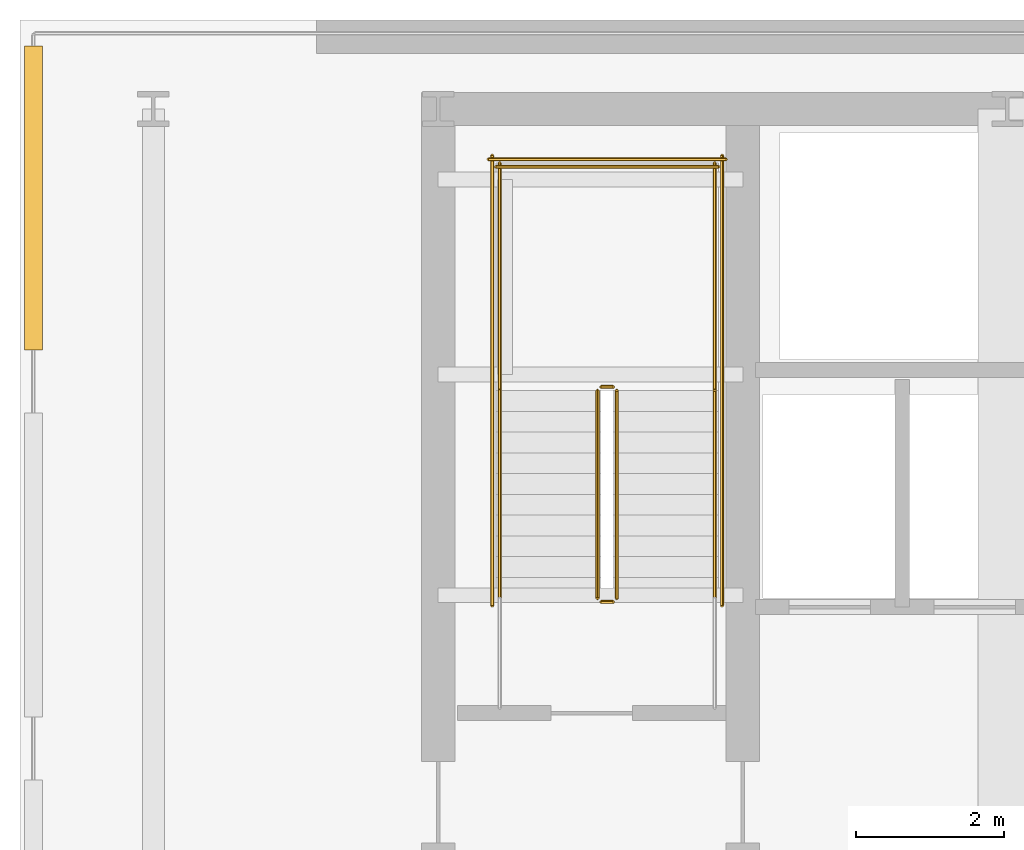
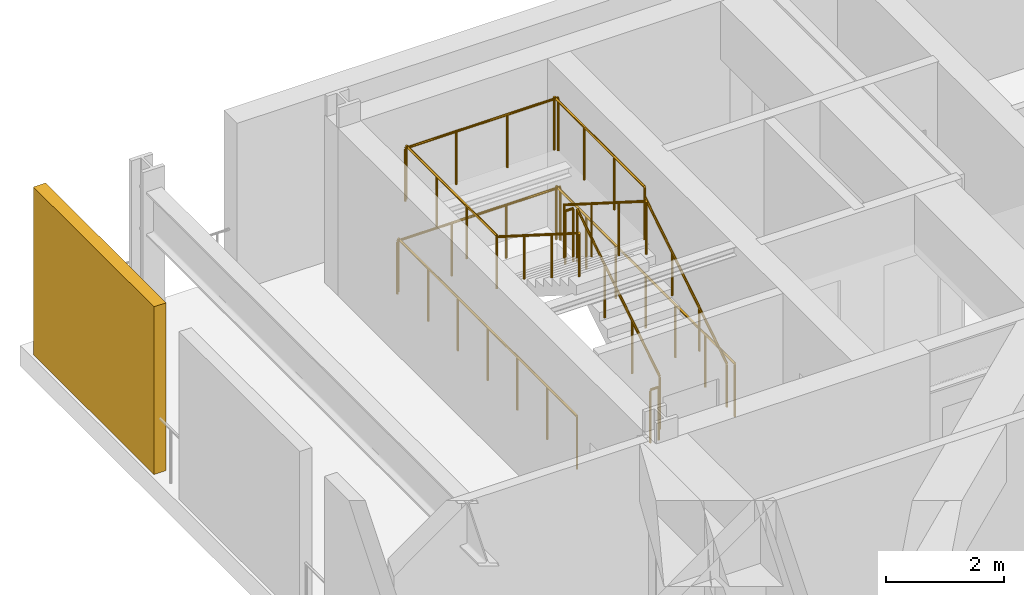
# One storey, part 5 of 7: 12 railings, 1 shading device.
"""IFC4 building model written with IfcOpenShell, lengths in metres."""

from ifc_helpers import new_model, si_unit, direction, frame, origin, origin_2d, place, context, subcontext, project, spatial, rectangle, circle, extrude, material, layer, layer_set, type_object, element, save


model = new_model("IFC4")

# Units and contexts
model_context = context("Model", 3, precision=1e-05, world=origin(), true_north=direction((0.0, 1.0)))
body_context = subcontext(model_context, "Body", "Model", "MODEL_VIEW")
ifc_project = project(units=[si_unit("LENGTHUNIT", "METRE"), si_unit("AREAUNIT", "SQUARE_METRE"), si_unit("VOLUMEUNIT", "CUBIC_METRE"), si_unit("PLANEANGLEUNIT", "RADIAN"), si_unit("MASSUNIT", "GRAM", prefix="KILO")], contexts=[model_context])

# Site, building, storey
site_placement = place(None, origin())
site = spatial("IfcSite", under=ifc_project, at=site_placement, CompositionType="ELEMENT")
building_placement = place(site_placement, origin())
building = spatial("IfcBuilding", under=site, at=building_placement, Name="Yelkora Congress Tower", CompositionType="ELEMENT")
storey_placement = place(building_placement, frame((0.0, 0.0, 145.10009765625)))
storey = spatial("IfcBuildingStorey", under=building, at=storey_placement, Name="L39", CompositionType="ELEMENT", Elevation=145.10009765625)

# Railings
ifc_material_1 = material(Name="Painted galvanised steel stair well guard with vertical infill", Category="steel")
ifc_layer_1 = layer(ifc_material_1, 0.06005859375)
ifc_layer_set_1 = layer_set([ifc_layer_1], Name="Painted galvanised steel stair well guard with vertical infill")
railing_type_1 = type_object("IfcRailingType", Name="RAIL-STAIR-GUARD-1120", PredefinedType="GUARDRAIL", material=ifc_layer_set_1)
railing_1_placement = place(storey_placement, frame((25.449951171875, 39.60009765625, 0.17724609375)))
element("IfcRailing", 1, at=railing_1_placement, inside=storey, type_object=railing_type_1, Name="ST-01 L39 Stair Well Guardrail 1", PredefinedType="GUARDRAIL", context=body_context, shape_type="SweptSolid", body=[
    extrude(circle(Radius=0.02392578125, at=origin_2d()), frame((0.0, 0.0, 1.09619140625), z_axis=(0.0, 0.844887892834, 0.53494340686), x_axis=(-1.0, 0.0, 0.0)), (0.0, 0.0, 1.0), 3.313720703125),
    extrude(circle(Radius=0.02099609375, at=origin_2d()), origin(), (0.0, 0.0, 1.0), 1.072021484375),
    extrude(circle(Radius=0.02099609375, at=origin_2d()), frame((0.0, 0.933349609375, 0.5908203125)), (0.0, 0.0, 1.0), 1.072021484375),
    extrude(circle(Radius=0.02099609375, at=origin_2d()), frame((0.0, 1.866455078125, 1.181884765625)), (0.0, 0.0, 1.0), 1.072021484375),
    extrude(circle(Radius=0.02099609375, at=origin_2d()), frame((0.0, 2.7998046875, 1.772705078125)), (0.0, 0.0, 1.0), 1.072021484375),
])
railing_2_placement = place(storey_placement, frame((25.39990234375, 42.449951171875, 1.949951171875)))
element("IfcRailing", 2, at=railing_2_placement, inside=storey, type_object=railing_type_1, Name="ST-01 L39 Stair Well Guardrail 2", PredefinedType="GUARDRAIL", context=body_context, shape_type="SweptSolid", body=[
    extrude(circle(Radius=0.02392578125, at=origin_2d()), frame((0.0, 0.0, 1.09619140625), z_axis=(-1.0, 0.0, 0.0), x_axis=(0.0, -1.0, 0.0)), (0.0, 0.0, 1.0), 0.159912109375),
    extrude(circle(Radius=0.02099609375, at=origin_2d()), origin(), (0.0, 0.0, 1.0), 1.072021484375),
    extrude(circle(Radius=0.02099609375, at=origin_2d()), frame((-0.159912109375, 0.0, 0.0)), (0.0, 0.0, 1.0), 1.072021484375),
])
for number, where, name in (
    (3, (26.77001953125, 42.39990234375, 1.949951171875), "ST-01 L39 Stair Well Guardrail 3"),
    (4, (23.8701171875, 42.39990234375, 1.949951171875), "ST-01 L39 Stair Well Guardrail 4"),
):
    element("IfcRailing", number, at=place(storey_placement, frame(where)), inside=storey, type_object=railing_type_1, Name=name, PredefinedType="GUARDRAIL", context=body_context, shape_type="SweptSolid", body=[
        extrude(circle(Radius=0.02392578125, at=origin_2d()), frame((0.0, 0.0, 1.09619140625), z_axis=(0.0, 1.0, 0.0), x_axis=(-1.0, 0.0, 0.0)), (0.0, 0.0, 1.0), 3.070068359375),
        extrude(circle(Radius=0.02099609375, at=origin_2d()), origin(), (0.0, 0.0, 1.0), 1.072021484375),
        extrude(circle(Radius=0.02099609375, at=origin_2d()), frame((0.0, 1.0234375, 0.0)), (0.0, 0.0, 1.0), 1.072021484375),
        extrude(circle(Radius=0.02099609375, at=origin_2d()), frame((0.0, 2.046630859375, 0.0)), (0.0, 0.0, 1.0), 1.072021484375),
        extrude(circle(Radius=0.02099609375, at=origin_2d()), frame((0.0, 3.070068359375, 0.0)), (0.0, 0.0, 1.0), 1.072021484375),
    ])
railing_3_placement = place(storey_placement, frame((26.820068359375, 45.419921875, 1.949951171875)))
element("IfcRailing", 5, at=railing_3_placement, inside=storey, type_object=railing_type_1, Name="ST-01 L39 Stair Well Guardrail 5", PredefinedType="GUARDRAIL", context=body_context, shape_type="SweptSolid", body=[
    extrude(circle(Radius=0.02392578125, at=origin_2d()), frame((0.0, 0.0, 1.09619140625), z_axis=(-1.0, 0.0, 0.0), x_axis=(0.0, -1.0, 0.0)), (0.0, 0.0, 1.0), 3.0),
    extrude(circle(Radius=0.02099609375, at=origin_2d()), origin(), (0.0, 0.0, 1.0), 1.072021484375),
    extrude(circle(Radius=0.02099609375, at=origin_2d()), frame((-1.0, 0.0, 0.0)), (0.0, 0.0, 1.0), 1.072021484375),
    extrude(circle(Radius=0.02099609375, at=origin_2d()), frame((-2.0, 0.0, 0.0)), (0.0, 0.0, 1.0), 1.072021484375),
    extrude(circle(Radius=0.02099609375, at=origin_2d()), frame((-3.0, 0.0, 0.0)), (0.0, 0.0, 1.0), 1.072021484375),
])
railing_4_placement = place(storey_placement, frame((25.18994140625, 42.39990234375, 2.127197265625)))
element("IfcRailing", 6, at=railing_4_placement, inside=storey, type_object=railing_type_1, Name="ST-01 L39 Stair Well Guardrail 6", PredefinedType="GUARDRAIL", context=body_context, shape_type="SweptSolid", body=[
    extrude(circle(Radius=0.02392578125, at=origin_2d()), frame((0.0, 0.0, 1.09619140625), z_axis=(0.0, -0.844887892834, 0.53494340686), x_axis=(1.0, 0.0, 0.0)), (0.0, 0.0, 1.0), 3.313720703125),
    extrude(circle(Radius=0.02099609375, at=origin_2d()), origin(), (0.0, 0.0, 1.0), 1.072021484375),
    extrude(circle(Radius=0.02099609375, at=origin_2d()), frame((0.0, -0.933349609375, 0.5908203125)), (0.0, 0.0, 1.0), 1.072021484375),
    extrude(circle(Radius=0.02099609375, at=origin_2d()), frame((0.0, -1.866455078125, 1.181884765625)), (0.0, 0.0, 1.0), 1.072021484375),
    extrude(circle(Radius=0.02099609375, at=origin_2d()), frame((0.0, -2.7998046875, 1.772705078125)), (0.0, 0.0, 1.0), 1.072021484375),
])
railing_5_placement = place(storey_placement, frame((25.39990234375, 39.550048828125, 0.0)))
element("IfcRailing", 7, at=railing_5_placement, inside=storey, type_object=railing_type_1, Name="ST-01 L39 Stair Well Guardrail 7", PredefinedType="GUARDRAIL", context=body_context, shape_type="SweptSolid", body=[
    extrude(circle(Radius=0.02392578125, at=origin_2d()), frame((0.0, 0.0, 1.09619140625), z_axis=(-1.0, 0.0, 0.0), x_axis=(0.0, -1.0, 0.0)), (0.0, 0.0, 1.0), 0.159912109375),
    extrude(circle(Radius=0.02099609375, at=origin_2d()), origin(), (0.0, 0.0, 1.0), 1.072021484375),
    extrude(circle(Radius=0.02099609375, at=origin_2d()), frame((-0.159912109375, 0.0, 0.0)), (0.0, 0.0, 1.0), 1.072021484375),
])
for number, where, name in (
    (8, (26.8701171875, 39.5, 0.0), "ST-01 L39 Stair Well Guardrail 10"),
    (9, (23.77001953125, 39.5, 0.0), "ST-01 L39 Stair Well Guardrail 11"),
):
    element("IfcRailing", number, at=place(storey_placement, frame(where)), inside=storey, type_object=railing_type_1, Name=name, PredefinedType="GUARDRAIL", context=body_context, shape_type="SweptSolid", body=[
        extrude(circle(Radius=0.02392578125, at=origin_2d()), frame((0.0, 0.0, 1.09619140625), z_axis=(0.0, 1.0, 0.0), x_axis=(-1.0, 0.0, 0.0)), (0.0, 0.0, 1.0), 6.070068359375),
        extrude(circle(Radius=0.02099609375, at=origin_2d()), origin(), (0.0, 0.0, 1.0), 1.072021484375),
        extrude(circle(Radius=0.02099609375, at=origin_2d()), frame((0.0, 1.01171875, 0.0)), (0.0, 0.0, 1.0), 1.072021484375),
        extrude(circle(Radius=0.02099609375, at=origin_2d()), frame((0.0, 2.0234375, 0.0)), (0.0, 0.0, 1.0), 1.072021484375),
        extrude(circle(Radius=0.02099609375, at=origin_2d()), frame((0.0, 3.03515625, 0.0)), (0.0, 0.0, 1.0), 1.072021484375),
        extrude(circle(Radius=0.02099609375, at=origin_2d()), frame((0.0, 4.046630859375, 0.0)), (0.0, 0.0, 1.0), 1.072021484375),
        extrude(circle(Radius=0.02099609375, at=origin_2d()), frame((0.0, 5.058349609375, 0.0)), (0.0, 0.0, 1.0), 1.072021484375),
        extrude(circle(Radius=0.02099609375, at=origin_2d()), frame((0.0, 6.070068359375, 0.0)), (0.0, 0.0, 1.0), 1.072021484375),
    ])
railing_6_placement = place(storey_placement, frame((26.919921875, 45.52001953125, 0.0)))
element("IfcRailing", 10, at=railing_6_placement, inside=storey, type_object=railing_type_1, Name="ST-01 L39 Stair Well Guardrail 12", PredefinedType="GUARDRAIL", context=body_context, shape_type="SweptSolid", body=[
    extrude(circle(Radius=0.02392578125, at=origin_2d()), frame((0.0, 0.0, 1.09619140625), z_axis=(-1.0, 0.0, 0.0), x_axis=(0.0, -1.0, 0.0)), (0.0, 0.0, 1.0), 3.199951171875),
    extrude(circle(Radius=0.02099609375, at=origin_2d()), origin(), (0.0, 0.0, 1.0), 1.072021484375),
    extrude(circle(Radius=0.02099609375, at=origin_2d()), frame((-1.066650390625, 0.0, 0.0)), (0.0, 0.0, 1.0), 1.072021484375),
    extrude(circle(Radius=0.02099609375, at=origin_2d()), frame((-2.13330078125, 0.0, 0.0)), (0.0, 0.0, 1.0), 1.072021484375),
    extrude(circle(Radius=0.02099609375, at=origin_2d()), frame((-3.199951171875, 0.0, 0.0)), (0.0, 0.0, 1.0), 1.072021484375),
])
ifc_material_2 = material(Name="Brushed stainless steel tubular handrail", Category="steel")
ifc_layer_2 = layer(ifc_material_2, 0.050048828125)
ifc_layer_set_2 = layer_set([ifc_layer_2], Name="Brushed stainless steel tubular handrail")
railing_type_2 = type_object("IfcRailingType", Name="RAIL-STAIR-HAND-920", PredefinedType="HANDRAIL", material=ifc_layer_set_2)
railing_7_placement = place(storey_placement, frame((26.77001953125, 39.60009765625, 0.17724609375)))
element("IfcRailing", 11, at=railing_7_placement, inside=storey, type_object=railing_type_2, Name="ST-01 L39 Pitch Handrail 1", PredefinedType="HANDRAIL", context=body_context, shape_type="SweptSolid", body=[
    extrude(circle(Radius=0.02392578125, at=origin_2d()), frame((0.0, 0.0, 0.89599609375), z_axis=(0.0, 0.844887892834, 0.53494340686), x_axis=(-1.0, 0.0, 0.0)), (0.0, 0.0, 1.0), 3.313720703125),
    extrude(circle(Radius=0.02099609375, at=origin_2d()), origin(), (0.0, 0.0, 1.0), 0.871826171875),
    extrude(circle(Radius=0.02099609375, at=origin_2d()), frame((0.0, 0.933349609375, 0.5908203125)), (0.0, 0.0, 1.0), 0.871826171875),
    extrude(circle(Radius=0.02099609375, at=origin_2d()), frame((0.0, 1.866455078125, 1.181884765625)), (0.0, 0.0, 1.0), 0.871826171875),
    extrude(circle(Radius=0.02099609375, at=origin_2d()), frame((0.0, 2.7998046875, 1.772705078125)), (0.0, 0.0, 1.0), 0.871826171875),
])
railing_8_placement = place(storey_placement, frame((23.8701171875, 42.39990234375, 2.127197265625)))
element("IfcRailing", 12, at=railing_8_placement, inside=storey, type_object=railing_type_2, Name="ST-01 L39 Pitch Handrail 2", PredefinedType="HANDRAIL", context=body_context, shape_type="SweptSolid", body=[
    extrude(circle(Radius=0.02392578125, at=origin_2d()), frame((0.0, 0.0, 0.89599609375), z_axis=(0.0, -0.844887892834, 0.53494340686), x_axis=(1.0, 0.0, 0.0)), (0.0, 0.0, 1.0), 3.313720703125),
    extrude(circle(Radius=0.02099609375, at=origin_2d()), origin(), (0.0, 0.0, 1.0), 0.871826171875),
    extrude(circle(Radius=0.02099609375, at=origin_2d()), frame((0.0, -0.933349609375, 0.5908203125)), (0.0, 0.0, 1.0), 0.871826171875),
    extrude(circle(Radius=0.02099609375, at=origin_2d()), frame((0.0, -1.866455078125, 1.181884765625)), (0.0, 0.0, 1.0), 0.871826171875),
    extrude(circle(Radius=0.02099609375, at=origin_2d()), frame((0.0, -2.7998046875, 1.772705078125)), (0.0, 0.0, 1.0), 0.871826171875),
])

# Shading device
ifc_material_3 = material(Name="Perforated anodised aluminium louvre", Category="aluminium")
ifc_layer_3 = layer(ifc_material_3, 3.39990234375)
ifc_layer_set_3 = layer_set([ifc_layer_3], Name="Perforated anodised aluminium louvre")
shading_device_type = type_object("IfcShadingDeviceType", Name="SHD-LOUVRE-WIND", PredefinedType="JALOUSIE", material=ifc_layer_set_3)
shading_device_placement = place(storey_placement, frame((17.580078125, 45.0, 0.0), z_axis=(0.0, 0.0, 1.0), x_axis=(1.0, 0.0, 0.0)))
element("IfcShadingDevice", 13, at=shading_device_placement, inside=storey, type_object=shading_device_type, Name="L39 Acoustic Wind-Floor Louvre Screen W5", PredefinedType="JALOUSIE", context=body_context, shape_type="SweptSolid", body=[
    extrude(rectangle(XDim=0.239990234375, YDim=4.10009765625, at=origin_2d()), origin(), (0.0, 0.0, 1.0), 3.47998046875),
])

save(model, "model.ifc")
